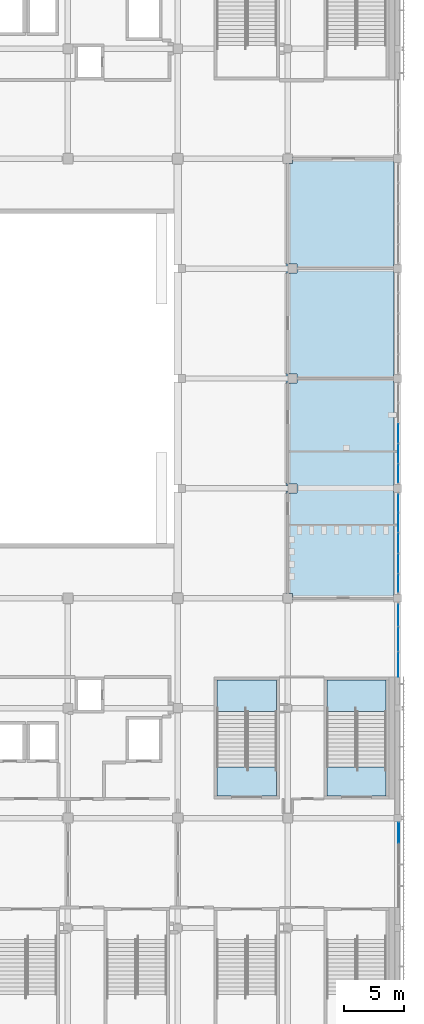
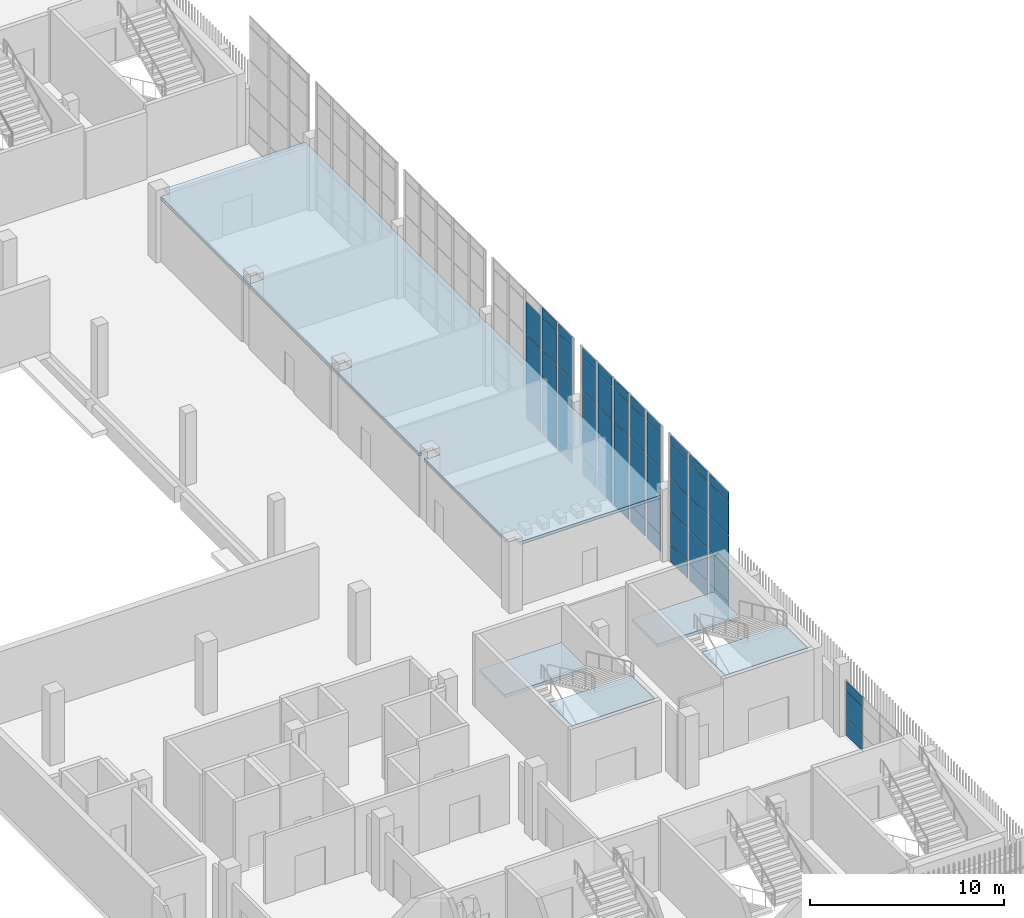
# One storey, part 70 of 126: 57 plates, 5 slabs, 6 elements without a shape of their own.
"""IFC4 building model written with IfcOpenShell, lengths in metres."""

from ifc_helpers import new_model, si_unit, direction, frame, origin, origin_2d, place, context, subcontext, project, spatial, polyline, rectangle, outline, extrude, material, layer, layer_set, type_object, element, aggregate, save


model = new_model("IFC4")

# Units and contexts
model_context = context("Model", 3, precision=1e-05, world=origin(), true_north=direction((0.0, 1.0)))
body_context = subcontext(model_context, "Body", "Model", "MODEL_VIEW")
ifc_project = project(units=[si_unit("LENGTHUNIT", "METRE"), si_unit("AREAUNIT", "SQUARE_METRE"), si_unit("VOLUMEUNIT", "CUBIC_METRE"), si_unit("PLANEANGLEUNIT", "RADIAN"), si_unit("MASSUNIT", "GRAM", prefix="KILO")], contexts=[model_context])

# Site, building, storey
site_placement = place(None, origin())
site = spatial("IfcSite", under=ifc_project, at=site_placement, CompositionType="ELEMENT")
building_placement = place(site_placement, origin())
building = spatial("IfcBuilding", under=site, at=building_placement, Name="Shirokan Park Arena", CompositionType="ELEMENT")
storey_placement = place(building_placement, frame((0.0, 0.0, 6.3701171875)))
storey = spatial("IfcBuildingStorey", under=building, at=storey_placement, Name="L01", CompositionType="ELEMENT", Elevation=6.3701171875)

# Curtain wall, plates
ifc_material_1 = material(Name="Steel and glass curtain wall", Category="steel")
ifc_layer_1 = layer(ifc_material_1, 0.1201171875)
ifc_layer_set_1 = layer_set([ifc_layer_1], Name="Steel and glass curtain wall 120 mm")
curtain_wall_type_1 = type_object("IfcCurtainWallType", Name="Curtain wall corner block side bay 120", PredefinedType="NOTDEFINED", material=ifc_layer_set_1)
curtain_wall_1_placement = place(storey_placement, origin())
curtain_wall_1 = element("IfcCurtainWall", 1, at=curtain_wall_1_placement, inside=storey, type_object=curtain_wall_type_1, Name="Curtain wall east bay 2 L01", PredefinedType="NOTDEFINED")
ifc_material_2 = material(Name="Aluminium sheet", Category="aluminium")
ifc_layer_2 = layer(ifc_material_2, 0.0029296875, Name="Aluminium sheet")
ifc_material_3 = material(Name="Mineral wool insulation")
ifc_layer_3 = layer(ifc_material_3, 0.053955078125, Name="Mineral wool insulation")
ifc_layer_4 = layer(ifc_material_2, 0.0029296875, Name="Aluminium sheet")
ifc_layer_set_2 = layer_set([ifc_layer_2, ifc_layer_3, ifc_layer_4], Name="Aluminium sheet + Mineral wool insulation")
plate_type_1 = type_object("IfcPlateType", Name="Insulated spandrel panel 60", PredefinedType="CURTAIN_PANEL", material=ifc_layer_set_2)
plate_1_placement = place(storey_placement, frame((145.68994140625, 16.97509765625, 2.86962890625), z_axis=(0.0, 0.0, 1.0), x_axis=(0.0, 1.0, 0.0)))
plate_1 = element("IfcPlate", 2, at=plate_1_placement, type_object=plate_type_1, Name="CW3 panel 4.3", PredefinedType="CURTAIN_PANEL", context=body_context, shape_type="SweptSolid", body=[
    extrude(rectangle(XDim=1.64990234375, YDim=0.06005859375, at=origin_2d()), origin(), (0.0, 0.0, 1.0), 0.590087890625),
])
ifc_material_4 = material(Name="Toughened glass", Category="glass")
ifc_layer_5 = layer(ifc_material_4, 0.012939453125, Name="Toughened glass")
ifc_material_5 = material(Name="Interlayer film")
ifc_layer_6 = layer(ifc_material_5, 0.001953125, Name="Interlayer film")
ifc_layer_7 = layer(ifc_material_4, 0.012939453125, Name="Toughened glass")
ifc_layer_set_3 = layer_set([ifc_layer_5, ifc_layer_6, ifc_layer_7], Name="Toughened glass + Interlayer film")
plate_type_2 = type_object("IfcPlateType", Name="Laminated glass panel 28", PredefinedType="CURTAIN_PANEL", material=ifc_layer_set_3)
plate_2_placement = place(storey_placement, frame((145.68994140625, 16.97509765625, 1.119873046875), z_axis=(0.0, 0.0, 1.0), x_axis=(0.0, 1.0, 0.0)))
plate_2 = element("IfcPlate", 3, at=plate_2_placement, type_object=plate_type_2, Name="CW3 panel 4.2", PredefinedType="CURTAIN_PANEL", context=body_context, shape_type="SweptSolid", body=[
    extrude(rectangle(XDim=1.64990234375, YDim=0.028076171875, at=origin_2d()), origin(), (0.0, 0.0, 1.0), 1.7099609375),
])

ifc_layer_8 = layer(ifc_material_1, 0.199951171875)
ifc_layer_set_4 = layer_set([ifc_layer_8], Name="Steel and glass curtain wall 200 mm")
curtain_wall_type_2 = type_object("IfcCurtainWallType", Name="Curtain wall hall bay 200", PredefinedType="NOTDEFINED", material=ifc_layer_set_4)
curtain_wall_2_placement = place(storey_placement, origin())
curtain_wall_2 = element("IfcCurtainWall", 4, at=curtain_wall_2_placement, inside=storey, type_object=curtain_wall_type_2, Name="Curtain wall east bay 4 L01", PredefinedType="NOTDEFINED")
plate_3_placement = place(storey_placement, frame((145.64990234375, 30.879150390625, 1.119873046875), z_axis=(0.0, 0.0, 1.0), x_axis=(0.0, 1.0, 0.0)))
plate_3 = element("IfcPlate", 5, at=plate_3_placement, type_object=plate_type_2, Name="CW5 panel 1.2", PredefinedType="CURTAIN_PANEL", context=body_context, shape_type="SweptSolid", body=[
    extrude(rectangle(XDim=1.958251953125, YDim=0.028076171875, at=origin_2d()), origin(), (0.0, 0.0, 1.0), 2.06005859375),
])
plate_4_placement = place(storey_placement, frame((145.64990234375, 30.879150390625, 3.219970703125), z_axis=(0.0, 0.0, 1.0), x_axis=(0.0, 1.0, 0.0)))
plate_4 = element("IfcPlate", 6, at=plate_4_placement, type_object=plate_type_2, Name="CW5 panel 1.3", PredefinedType="CURTAIN_PANEL", context=body_context, shape_type="SweptSolid", body=[
    extrude(rectangle(XDim=1.958251953125, YDim=0.028076171875, at=origin_2d()), origin(), (0.0, 0.0, 1.0), 2.06005859375),
])
plate_5_placement = place(storey_placement, frame((145.64990234375, 30.879150390625, 5.31982421875), z_axis=(0.0, 0.0, 1.0), x_axis=(0.0, 1.0, 0.0)))
plate_5 = element("IfcPlate", 7, at=plate_5_placement, type_object=plate_type_2, Name="CW5 panel 1.4", PredefinedType="CURTAIN_PANEL", context=body_context, shape_type="SweptSolid", body=[
    extrude(rectangle(XDim=1.958251953125, YDim=0.028076171875, at=origin_2d()), origin(), (0.0, 0.0, 1.0), 2.06005859375),
])
plate_6_placement = place(storey_placement, frame((145.64990234375, 30.879150390625, 7.419921875), z_axis=(0.0, 0.0, 1.0), x_axis=(0.0, 1.0, 0.0)))
plate_6 = element("IfcPlate", 8, at=plate_6_placement, type_object=plate_type_2, Name="CW5 panel 1.5", PredefinedType="CURTAIN_PANEL", context=body_context, shape_type="SweptSolid", body=[
    extrude(rectangle(XDim=1.958251953125, YDim=0.028076171875, at=origin_2d()), origin(), (0.0, 0.0, 1.0), 0.590087890625),
])
plate_7_placement = place(storey_placement, frame((145.64990234375, 32.987548828125, 1.119873046875), z_axis=(0.0, 0.0, 1.0), x_axis=(0.0, 1.0, 0.0)))
plate_7 = element("IfcPlate", 9, at=plate_7_placement, type_object=plate_type_2, Name="CW5 panel 2.2", PredefinedType="CURTAIN_PANEL", context=body_context, shape_type="SweptSolid", body=[
    extrude(rectangle(XDim=1.8583984375, YDim=0.028076171875, at=origin_2d()), origin(), (0.0, 0.0, 1.0), 2.06005859375),
])
plate_8_placement = place(storey_placement, frame((145.64990234375, 32.987548828125, 3.219970703125), z_axis=(0.0, 0.0, 1.0), x_axis=(0.0, 1.0, 0.0)))
plate_8 = element("IfcPlate", 10, at=plate_8_placement, type_object=plate_type_2, Name="CW5 panel 2.3", PredefinedType="CURTAIN_PANEL", context=body_context, shape_type="SweptSolid", body=[
    extrude(rectangle(XDim=1.8583984375, YDim=0.028076171875, at=origin_2d()), origin(), (0.0, 0.0, 1.0), 2.06005859375),
])
plate_9_placement = place(storey_placement, frame((145.64990234375, 32.987548828125, 5.31982421875), z_axis=(0.0, 0.0, 1.0), x_axis=(0.0, 1.0, 0.0)))
plate_9 = element("IfcPlate", 11, at=plate_9_placement, type_object=plate_type_2, Name="CW5 panel 2.4", PredefinedType="CURTAIN_PANEL", context=body_context, shape_type="SweptSolid", body=[
    extrude(rectangle(XDim=1.8583984375, YDim=0.028076171875, at=origin_2d()), origin(), (0.0, 0.0, 1.0), 2.06005859375),
])
plate_10_placement = place(storey_placement, frame((145.64990234375, 32.987548828125, 7.419921875), z_axis=(0.0, 0.0, 1.0), x_axis=(0.0, 1.0, 0.0)))
plate_10 = element("IfcPlate", 12, at=plate_10_placement, type_object=plate_type_2, Name="CW5 panel 2.5", PredefinedType="CURTAIN_PANEL", context=body_context, shape_type="SweptSolid", body=[
    extrude(rectangle(XDim=1.8583984375, YDim=0.028076171875, at=origin_2d()), origin(), (0.0, 0.0, 1.0), 0.590087890625),
])
plate_11_placement = place(storey_placement, frame((145.64990234375, 34.995849609375, 1.119873046875), z_axis=(0.0, 0.0, 1.0), x_axis=(0.0, 1.0, 0.0)))
plate_11 = element("IfcPlate", 13, at=plate_11_placement, type_object=plate_type_2, Name="CW5 panel 3.2", PredefinedType="CURTAIN_PANEL", context=body_context, shape_type="SweptSolid", body=[
    extrude(rectangle(XDim=1.75830078125, YDim=0.028076171875, at=origin_2d()), origin(), (0.0, 0.0, 1.0), 2.06005859375),
])
plate_12_placement = place(storey_placement, frame((145.64990234375, 34.995849609375, 3.219970703125), z_axis=(0.0, 0.0, 1.0), x_axis=(0.0, 1.0, 0.0)))
plate_12 = element("IfcPlate", 14, at=plate_12_placement, type_object=plate_type_2, Name="CW5 panel 3.3", PredefinedType="CURTAIN_PANEL", context=body_context, shape_type="SweptSolid", body=[
    extrude(rectangle(XDim=1.75830078125, YDim=0.028076171875, at=origin_2d()), origin(), (0.0, 0.0, 1.0), 2.06005859375),
])
plate_13_placement = place(storey_placement, frame((145.64990234375, 34.995849609375, 5.31982421875), z_axis=(0.0, 0.0, 1.0), x_axis=(0.0, 1.0, 0.0)))
plate_13 = element("IfcPlate", 15, at=plate_13_placement, type_object=plate_type_2, Name="CW5 panel 3.4", PredefinedType="CURTAIN_PANEL", context=body_context, shape_type="SweptSolid", body=[
    extrude(rectangle(XDim=1.75830078125, YDim=0.028076171875, at=origin_2d()), origin(), (0.0, 0.0, 1.0), 2.06005859375),
])
plate_14_placement = place(storey_placement, frame((145.64990234375, 34.995849609375, 7.419921875), z_axis=(0.0, 0.0, 1.0), x_axis=(0.0, 1.0, 0.0)))
plate_14 = element("IfcPlate", 16, at=plate_14_placement, type_object=plate_type_2, Name="CW5 panel 3.5", PredefinedType="CURTAIN_PANEL", context=body_context, shape_type="SweptSolid", body=[
    extrude(rectangle(XDim=1.75830078125, YDim=0.028076171875, at=origin_2d()), origin(), (0.0, 0.0, 1.0), 0.590087890625),
])

curtain_wall_3_placement = place(storey_placement, origin())
curtain_wall_3 = element("IfcCurtainWall", 17, at=curtain_wall_3_placement, inside=storey, type_object=curtain_wall_type_2, Name="Curtain wall east bay 5 L01", PredefinedType="NOTDEFINED")
plate_15_placement = place(storey_placement, frame((145.64990234375, 37.6201171875, 1.119873046875), z_axis=(0.0, 0.0, 1.0), x_axis=(0.0, 1.0, 0.0)))
plate_15 = element("IfcPlate", 18, at=plate_15_placement, type_object=plate_type_2, Name="CW5 panel 1.2", PredefinedType="CURTAIN_PANEL", context=body_context, shape_type="SweptSolid", body=[
    extrude(rectangle(XDim=1.389892578125, YDim=0.028076171875, at=origin_2d()), origin(), (0.0, 0.0, 1.0), 2.06005859375),
])
plate_16_placement = place(storey_placement, frame((145.64990234375, 37.6201171875, 3.219970703125), z_axis=(0.0, 0.0, 1.0), x_axis=(0.0, 1.0, 0.0)))
plate_16 = element("IfcPlate", 19, at=plate_16_placement, type_object=plate_type_2, Name="CW5 panel 1.3", PredefinedType="CURTAIN_PANEL", context=body_context, shape_type="SweptSolid", body=[
    extrude(rectangle(XDim=1.389892578125, YDim=0.028076171875, at=origin_2d()), origin(), (0.0, 0.0, 1.0), 2.06005859375),
])
plate_17_placement = place(storey_placement, frame((145.64990234375, 37.6201171875, 5.31982421875), z_axis=(0.0, 0.0, 1.0), x_axis=(0.0, 1.0, 0.0)))
plate_17 = element("IfcPlate", 20, at=plate_17_placement, type_object=plate_type_2, Name="CW5 panel 1.4", PredefinedType="CURTAIN_PANEL", context=body_context, shape_type="SweptSolid", body=[
    extrude(rectangle(XDim=1.389892578125, YDim=0.028076171875, at=origin_2d()), origin(), (0.0, 0.0, 1.0), 2.06005859375),
])
plate_18_placement = place(storey_placement, frame((145.64990234375, 37.6201171875, 7.419921875), z_axis=(0.0, 0.0, 1.0), x_axis=(0.0, 1.0, 0.0)))
plate_18 = element("IfcPlate", 21, at=plate_18_placement, type_object=plate_type_2, Name="CW5 panel 1.5", PredefinedType="CURTAIN_PANEL", context=body_context, shape_type="SweptSolid", body=[
    extrude(rectangle(XDim=1.389892578125, YDim=0.028076171875, at=origin_2d()), origin(), (0.0, 0.0, 1.0), 0.590087890625),
])
plate_19_placement = place(storey_placement, frame((145.64990234375, 39.260009765625, 1.119873046875), z_axis=(0.0, 0.0, 1.0), x_axis=(0.0, 1.0, 0.0)))
plate_19 = element("IfcPlate", 22, at=plate_19_placement, type_object=plate_type_2, Name="CW5 panel 2.2", PredefinedType="CURTAIN_PANEL", context=body_context, shape_type="SweptSolid", body=[
    extrude(rectangle(XDim=1.489990234375, YDim=0.028076171875, at=origin_2d()), origin(), (0.0, 0.0, 1.0), 2.06005859375),
])
plate_20_placement = place(storey_placement, frame((145.64990234375, 39.260009765625, 3.219970703125), z_axis=(0.0, 0.0, 1.0), x_axis=(0.0, 1.0, 0.0)))
plate_20 = element("IfcPlate", 23, at=plate_20_placement, type_object=plate_type_2, Name="CW5 panel 2.3", PredefinedType="CURTAIN_PANEL", context=body_context, shape_type="SweptSolid", body=[
    extrude(rectangle(XDim=1.489990234375, YDim=0.028076171875, at=origin_2d()), origin(), (0.0, 0.0, 1.0), 2.06005859375),
])
plate_21_placement = place(storey_placement, frame((145.64990234375, 39.260009765625, 5.31982421875), z_axis=(0.0, 0.0, 1.0), x_axis=(0.0, 1.0, 0.0)))
plate_21 = element("IfcPlate", 24, at=plate_21_placement, type_object=plate_type_2, Name="CW5 panel 2.4", PredefinedType="CURTAIN_PANEL", context=body_context, shape_type="SweptSolid", body=[
    extrude(rectangle(XDim=1.489990234375, YDim=0.028076171875, at=origin_2d()), origin(), (0.0, 0.0, 1.0), 2.06005859375),
])
plate_22_placement = place(storey_placement, frame((145.64990234375, 39.260009765625, 7.419921875), z_axis=(0.0, 0.0, 1.0), x_axis=(0.0, 1.0, 0.0)))
plate_22 = element("IfcPlate", 25, at=plate_22_placement, type_object=plate_type_2, Name="CW5 panel 2.5", PredefinedType="CURTAIN_PANEL", context=body_context, shape_type="SweptSolid", body=[
    extrude(rectangle(XDim=1.489990234375, YDim=0.028076171875, at=origin_2d()), origin(), (0.0, 0.0, 1.0), 0.590087890625),
])
plate_23_placement = place(storey_placement, frame((145.64990234375, 40.949951171875, 1.119873046875), z_axis=(0.0, 0.0, 1.0), x_axis=(0.0, 1.0, 0.0)))
plate_23 = element("IfcPlate", 26, at=plate_23_placement, type_object=plate_type_2, Name="CW5 panel 3.2", PredefinedType="CURTAIN_PANEL", context=body_context, shape_type="SweptSolid", body=[
    extrude(rectangle(XDim=1.489990234375, YDim=0.028076171875, at=origin_2d()), origin(), (0.0, 0.0, 1.0), 2.06005859375),
])
plate_24_placement = place(storey_placement, frame((145.64990234375, 40.949951171875, 3.219970703125), z_axis=(0.0, 0.0, 1.0), x_axis=(0.0, 1.0, 0.0)))
plate_24 = element("IfcPlate", 27, at=plate_24_placement, type_object=plate_type_2, Name="CW5 panel 3.3", PredefinedType="CURTAIN_PANEL", context=body_context, shape_type="SweptSolid", body=[
    extrude(rectangle(XDim=1.489990234375, YDim=0.028076171875, at=origin_2d()), origin(), (0.0, 0.0, 1.0), 2.06005859375),
])
plate_25_placement = place(storey_placement, frame((145.64990234375, 40.949951171875, 5.31982421875), z_axis=(0.0, 0.0, 1.0), x_axis=(0.0, 1.0, 0.0)))
plate_25 = element("IfcPlate", 28, at=plate_25_placement, type_object=plate_type_2, Name="CW5 panel 3.4", PredefinedType="CURTAIN_PANEL", context=body_context, shape_type="SweptSolid", body=[
    extrude(rectangle(XDim=1.489990234375, YDim=0.028076171875, at=origin_2d()), origin(), (0.0, 0.0, 1.0), 2.06005859375),
])
plate_26_placement = place(storey_placement, frame((145.64990234375, 40.949951171875, 7.419921875), z_axis=(0.0, 0.0, 1.0), x_axis=(0.0, 1.0, 0.0)))
plate_26 = element("IfcPlate", 29, at=plate_26_placement, type_object=plate_type_2, Name="CW5 panel 3.5", PredefinedType="CURTAIN_PANEL", context=body_context, shape_type="SweptSolid", body=[
    extrude(rectangle(XDim=1.489990234375, YDim=0.028076171875, at=origin_2d()), origin(), (0.0, 0.0, 1.0), 0.590087890625),
])
plate_27_placement = place(storey_placement, frame((145.64990234375, 42.639892578125, 1.119873046875), z_axis=(0.0, 0.0, 1.0), x_axis=(0.0, 1.0, 0.0)))
plate_27 = element("IfcPlate", 30, at=plate_27_placement, type_object=plate_type_2, Name="CW5 panel 4.2", PredefinedType="CURTAIN_PANEL", context=body_context, shape_type="SweptSolid", body=[
    extrude(rectangle(XDim=1.489990234375, YDim=0.028076171875, at=origin_2d()), origin(), (0.0, 0.0, 1.0), 2.06005859375),
])
plate_28_placement = place(storey_placement, frame((145.64990234375, 42.639892578125, 3.219970703125), z_axis=(0.0, 0.0, 1.0), x_axis=(0.0, 1.0, 0.0)))
plate_28 = element("IfcPlate", 31, at=plate_28_placement, type_object=plate_type_2, Name="CW5 panel 4.3", PredefinedType="CURTAIN_PANEL", context=body_context, shape_type="SweptSolid", body=[
    extrude(rectangle(XDim=1.489990234375, YDim=0.028076171875, at=origin_2d()), origin(), (0.0, 0.0, 1.0), 2.06005859375),
])
plate_29_placement = place(storey_placement, frame((145.64990234375, 42.639892578125, 5.31982421875), z_axis=(0.0, 0.0, 1.0), x_axis=(0.0, 1.0, 0.0)))
plate_29 = element("IfcPlate", 32, at=plate_29_placement, type_object=plate_type_2, Name="CW5 panel 4.4", PredefinedType="CURTAIN_PANEL", context=body_context, shape_type="SweptSolid", body=[
    extrude(rectangle(XDim=1.489990234375, YDim=0.028076171875, at=origin_2d()), origin(), (0.0, 0.0, 1.0), 2.06005859375),
])
plate_30_placement = place(storey_placement, frame((145.64990234375, 42.639892578125, 7.419921875), z_axis=(0.0, 0.0, 1.0), x_axis=(0.0, 1.0, 0.0)))
plate_30 = element("IfcPlate", 33, at=plate_30_placement, type_object=plate_type_2, Name="CW5 panel 4.5", PredefinedType="CURTAIN_PANEL", context=body_context, shape_type="SweptSolid", body=[
    extrude(rectangle(XDim=1.489990234375, YDim=0.028076171875, at=origin_2d()), origin(), (0.0, 0.0, 1.0), 0.590087890625),
])
plate_31_placement = place(storey_placement, frame((145.64990234375, 44.280029296875, 1.119873046875), z_axis=(0.0, 0.0, 1.0), x_axis=(0.0, 1.0, 0.0)))
plate_31 = element("IfcPlate", 34, at=plate_31_placement, type_object=plate_type_2, Name="CW5 panel 5.2", PredefinedType="CURTAIN_PANEL", context=body_context, shape_type="SweptSolid", body=[
    extrude(rectangle(XDim=1.389892578125, YDim=0.028076171875, at=origin_2d()), origin(), (0.0, 0.0, 1.0), 2.06005859375),
])
plate_32_placement = place(storey_placement, frame((145.64990234375, 44.280029296875, 3.219970703125), z_axis=(0.0, 0.0, 1.0), x_axis=(0.0, 1.0, 0.0)))
plate_32 = element("IfcPlate", 35, at=plate_32_placement, type_object=plate_type_2, Name="CW5 panel 5.3", PredefinedType="CURTAIN_PANEL", context=body_context, shape_type="SweptSolid", body=[
    extrude(rectangle(XDim=1.389892578125, YDim=0.028076171875, at=origin_2d()), origin(), (0.0, 0.0, 1.0), 2.06005859375),
])
plate_33_placement = place(storey_placement, frame((145.64990234375, 44.280029296875, 5.31982421875), z_axis=(0.0, 0.0, 1.0), x_axis=(0.0, 1.0, 0.0)))
plate_33 = element("IfcPlate", 36, at=plate_33_placement, type_object=plate_type_2, Name="CW5 panel 5.4", PredefinedType="CURTAIN_PANEL", context=body_context, shape_type="SweptSolid", body=[
    extrude(rectangle(XDim=1.389892578125, YDim=0.028076171875, at=origin_2d()), origin(), (0.0, 0.0, 1.0), 2.06005859375),
])
plate_34_placement = place(storey_placement, frame((145.64990234375, 44.280029296875, 7.419921875), z_axis=(0.0, 0.0, 1.0), x_axis=(0.0, 1.0, 0.0)))
plate_34 = element("IfcPlate", 37, at=plate_34_placement, type_object=plate_type_2, Name="CW5 panel 5.5", PredefinedType="CURTAIN_PANEL", context=body_context, shape_type="SweptSolid", body=[
    extrude(rectangle(XDim=1.389892578125, YDim=0.028076171875, at=origin_2d()), origin(), (0.0, 0.0, 1.0), 0.590087890625),
])

curtain_wall_4_placement = place(storey_placement, origin())
curtain_wall_4 = element("IfcCurtainWall", 38, at=curtain_wall_4_placement, inside=storey, type_object=curtain_wall_type_2, Name="Curtain wall east bay 6 L01", PredefinedType="NOTDEFINED")
plate_35_placement = place(storey_placement, frame((145.64990234375, 46.719970703125, 1.119873046875), z_axis=(0.0, 0.0, 1.0), x_axis=(0.0, 1.0, 0.0)))
plate_35 = element("IfcPlate", 39, at=plate_35_placement, type_object=plate_type_2, Name="CW5 panel 1.2", PredefinedType="CURTAIN_PANEL", context=body_context, shape_type="SweptSolid", body=[
    extrude(rectangle(XDim=1.389892578125, YDim=0.028076171875, at=origin_2d()), origin(), (0.0, 0.0, 1.0), 2.06005859375),
])
plate_36_placement = place(storey_placement, frame((145.64990234375, 46.719970703125, 3.219970703125), z_axis=(0.0, 0.0, 1.0), x_axis=(0.0, 1.0, 0.0)))
plate_36 = element("IfcPlate", 40, at=plate_36_placement, type_object=plate_type_2, Name="CW5 panel 1.3", PredefinedType="CURTAIN_PANEL", context=body_context, shape_type="SweptSolid", body=[
    extrude(rectangle(XDim=1.389892578125, YDim=0.028076171875, at=origin_2d()), origin(), (0.0, 0.0, 1.0), 2.06005859375),
])
plate_37_placement = place(storey_placement, frame((145.64990234375, 46.719970703125, 5.31982421875), z_axis=(0.0, 0.0, 1.0), x_axis=(0.0, 1.0, 0.0)))
plate_37 = element("IfcPlate", 41, at=plate_37_placement, type_object=plate_type_2, Name="CW5 panel 1.4", PredefinedType="CURTAIN_PANEL", context=body_context, shape_type="SweptSolid", body=[
    extrude(rectangle(XDim=1.389892578125, YDim=0.028076171875, at=origin_2d()), origin(), (0.0, 0.0, 1.0), 2.06005859375),
])
plate_38_placement = place(storey_placement, frame((145.64990234375, 46.719970703125, 7.419921875), z_axis=(0.0, 0.0, 1.0), x_axis=(0.0, 1.0, 0.0)))
plate_38 = element("IfcPlate", 42, at=plate_38_placement, type_object=plate_type_2, Name="CW5 panel 1.5", PredefinedType="CURTAIN_PANEL", context=body_context, shape_type="SweptSolid", body=[
    extrude(rectangle(XDim=1.389892578125, YDim=0.028076171875, at=origin_2d()), origin(), (0.0, 0.0, 1.0), 0.590087890625),
])
plate_39_placement = place(storey_placement, frame((145.64990234375, 48.360107421875, 1.119873046875), z_axis=(0.0, 0.0, 1.0), x_axis=(0.0, 1.0, 0.0)))
plate_39 = element("IfcPlate", 43, at=plate_39_placement, type_object=plate_type_2, Name="CW5 panel 2.2", PredefinedType="CURTAIN_PANEL", context=body_context, shape_type="SweptSolid", body=[
    extrude(rectangle(XDim=1.489990234375, YDim=0.028076171875, at=origin_2d()), origin(), (0.0, 0.0, 1.0), 2.06005859375),
])
plate_40_placement = place(storey_placement, frame((145.64990234375, 48.360107421875, 3.219970703125), z_axis=(0.0, 0.0, 1.0), x_axis=(0.0, 1.0, 0.0)))
plate_40 = element("IfcPlate", 44, at=plate_40_placement, type_object=plate_type_2, Name="CW5 panel 2.3", PredefinedType="CURTAIN_PANEL", context=body_context, shape_type="SweptSolid", body=[
    extrude(rectangle(XDim=1.489990234375, YDim=0.028076171875, at=origin_2d()), origin(), (0.0, 0.0, 1.0), 2.06005859375),
])
plate_41_placement = place(storey_placement, frame((145.64990234375, 48.360107421875, 5.31982421875), z_axis=(0.0, 0.0, 1.0), x_axis=(0.0, 1.0, 0.0)))
plate_41 = element("IfcPlate", 45, at=plate_41_placement, type_object=plate_type_2, Name="CW5 panel 2.4", PredefinedType="CURTAIN_PANEL", context=body_context, shape_type="SweptSolid", body=[
    extrude(rectangle(XDim=1.489990234375, YDim=0.028076171875, at=origin_2d()), origin(), (0.0, 0.0, 1.0), 2.06005859375),
])
plate_42_placement = place(storey_placement, frame((145.64990234375, 48.360107421875, 7.419921875), z_axis=(0.0, 0.0, 1.0), x_axis=(0.0, 1.0, 0.0)))
plate_42 = element("IfcPlate", 46, at=plate_42_placement, type_object=plate_type_2, Name="CW5 panel 2.5", PredefinedType="CURTAIN_PANEL", context=body_context, shape_type="SweptSolid", body=[
    extrude(rectangle(XDim=1.489990234375, YDim=0.028076171875, at=origin_2d()), origin(), (0.0, 0.0, 1.0), 0.590087890625),
])
plate_43_placement = place(storey_placement, frame((145.64990234375, 50.050048828125, 1.119873046875), z_axis=(0.0, 0.0, 1.0), x_axis=(0.0, 1.0, 0.0)))
plate_43 = element("IfcPlate", 47, at=plate_43_placement, type_object=plate_type_2, Name="CW5 panel 3.2", PredefinedType="CURTAIN_PANEL", context=body_context, shape_type="SweptSolid", body=[
    extrude(rectangle(XDim=1.489990234375, YDim=0.028076171875, at=origin_2d()), origin(), (0.0, 0.0, 1.0), 2.06005859375),
])
plate_44_placement = place(storey_placement, frame((145.64990234375, 50.050048828125, 3.219970703125), z_axis=(0.0, 0.0, 1.0), x_axis=(0.0, 1.0, 0.0)))
plate_44 = element("IfcPlate", 48, at=plate_44_placement, type_object=plate_type_2, Name="CW5 panel 3.3", PredefinedType="CURTAIN_PANEL", context=body_context, shape_type="SweptSolid", body=[
    extrude(rectangle(XDim=1.489990234375, YDim=0.028076171875, at=origin_2d()), origin(), (0.0, 0.0, 1.0), 2.06005859375),
])
plate_45_placement = place(storey_placement, frame((145.64990234375, 50.050048828125, 5.31982421875), z_axis=(0.0, 0.0, 1.0), x_axis=(0.0, 1.0, 0.0)))
plate_45 = element("IfcPlate", 49, at=plate_45_placement, type_object=plate_type_2, Name="CW5 panel 3.4", PredefinedType="CURTAIN_PANEL", context=body_context, shape_type="SweptSolid", body=[
    extrude(rectangle(XDim=1.489990234375, YDim=0.028076171875, at=origin_2d()), origin(), (0.0, 0.0, 1.0), 2.06005859375),
])

# Plate
ifc_layer_9 = layer(ifc_material_4, 0.01708984375, Name="Toughened glass")
ifc_layer_10 = layer(ifc_material_5, 0.001953125, Name="Interlayer film")
ifc_layer_11 = layer(ifc_material_4, 0.01708984375, Name="Toughened glass")
ifc_layer_set_5 = layer_set([ifc_layer_9, ifc_layer_10, ifc_layer_11], Name="Toughened glass + Interlayer film")
plate_type_3 = type_object("IfcPlateType", Name="Laminated safety glass panel 36", PredefinedType="CURTAIN_PANEL", material=ifc_layer_set_5)
plate_46_placement = place(storey_placement, frame((145.68994140625, 16.97509765625, 0.039794921875), z_axis=(0.0, 0.0, 1.0), x_axis=(0.0, 1.0, 0.0)))
plate_46 = element("IfcPlate", 50, at=plate_46_placement, type_object=plate_type_3, Name="CW3 panel 4.1", PredefinedType="CURTAIN_PANEL", context=body_context, shape_type="SweptSolid", body=[
    extrude(rectangle(XDim=1.64990234375, YDim=0.035888671875, at=origin_2d()), origin(), (0.0, 0.0, 1.0), 1.0400390625),
])

aggregate(curtain_wall_1, [plate_46, plate_2, plate_1])

plate_47_placement = place(storey_placement, frame((145.64990234375, 30.879150390625, 0.039794921875), z_axis=(0.0, 0.0, 1.0), x_axis=(0.0, 1.0, 0.0)))
plate_47 = element("IfcPlate", 51, at=plate_47_placement, type_object=plate_type_3, Name="CW5 panel 1.1", PredefinedType="CURTAIN_PANEL", context=body_context, shape_type="SweptSolid", body=[
    extrude(rectangle(XDim=1.958251953125, YDim=0.035888671875, at=origin_2d()), origin(), (0.0, 0.0, 1.0), 1.0400390625),
])

plate_48_placement = place(storey_placement, frame((145.64990234375, 32.987548828125, 0.039794921875), z_axis=(0.0, 0.0, 1.0), x_axis=(0.0, 1.0, 0.0)))
plate_48 = element("IfcPlate", 52, at=plate_48_placement, type_object=plate_type_3, Name="CW5 panel 2.1", PredefinedType="CURTAIN_PANEL", context=body_context, shape_type="SweptSolid", body=[
    extrude(rectangle(XDim=1.8583984375, YDim=0.035888671875, at=origin_2d()), origin(), (0.0, 0.0, 1.0), 1.0400390625),
])

plate_49_placement = place(storey_placement, frame((145.64990234375, 34.995849609375, 0.039794921875), z_axis=(0.0, 0.0, 1.0), x_axis=(0.0, 1.0, 0.0)))
plate_49 = element("IfcPlate", 53, at=plate_49_placement, type_object=plate_type_3, Name="CW5 panel 3.1", PredefinedType="CURTAIN_PANEL", context=body_context, shape_type="SweptSolid", body=[
    extrude(rectangle(XDim=1.75830078125, YDim=0.035888671875, at=origin_2d()), origin(), (0.0, 0.0, 1.0), 1.0400390625),
])

aggregate(curtain_wall_2, [plate_47, plate_3, plate_4, plate_5, plate_6, plate_48, plate_7, plate_8, plate_9, plate_10, plate_49, plate_11, plate_12, plate_13, plate_14])

plate_50_placement = place(storey_placement, frame((145.64990234375, 37.6201171875, 0.039794921875), z_axis=(0.0, 0.0, 1.0), x_axis=(0.0, 1.0, 0.0)))
plate_50 = element("IfcPlate", 54, at=plate_50_placement, type_object=plate_type_3, Name="CW5 panel 1.1", PredefinedType="CURTAIN_PANEL", context=body_context, shape_type="SweptSolid", body=[
    extrude(rectangle(XDim=1.389892578125, YDim=0.035888671875, at=origin_2d()), origin(), (0.0, 0.0, 1.0), 1.0400390625),
])

plate_51_placement = place(storey_placement, frame((145.64990234375, 39.260009765625, 0.039794921875), z_axis=(0.0, 0.0, 1.0), x_axis=(0.0, 1.0, 0.0)))
plate_51 = element("IfcPlate", 55, at=plate_51_placement, type_object=plate_type_3, Name="CW5 panel 2.1", PredefinedType="CURTAIN_PANEL", context=body_context, shape_type="SweptSolid", body=[
    extrude(rectangle(XDim=1.489990234375, YDim=0.035888671875, at=origin_2d()), origin(), (0.0, 0.0, 1.0), 1.0400390625),
])

plate_52_placement = place(storey_placement, frame((145.64990234375, 40.949951171875, 0.039794921875), z_axis=(0.0, 0.0, 1.0), x_axis=(0.0, 1.0, 0.0)))
plate_52 = element("IfcPlate", 56, at=plate_52_placement, type_object=plate_type_3, Name="CW5 panel 3.1", PredefinedType="CURTAIN_PANEL", context=body_context, shape_type="SweptSolid", body=[
    extrude(rectangle(XDim=1.489990234375, YDim=0.035888671875, at=origin_2d()), origin(), (0.0, 0.0, 1.0), 1.0400390625),
])

plate_53_placement = place(storey_placement, frame((145.64990234375, 42.639892578125, 0.039794921875), z_axis=(0.0, 0.0, 1.0), x_axis=(0.0, 1.0, 0.0)))
plate_53 = element("IfcPlate", 57, at=plate_53_placement, type_object=plate_type_3, Name="CW5 panel 4.1", PredefinedType="CURTAIN_PANEL", context=body_context, shape_type="SweptSolid", body=[
    extrude(rectangle(XDim=1.489990234375, YDim=0.035888671875, at=origin_2d()), origin(), (0.0, 0.0, 1.0), 1.0400390625),
])

plate_54_placement = place(storey_placement, frame((145.64990234375, 44.280029296875, 0.039794921875), z_axis=(0.0, 0.0, 1.0), x_axis=(0.0, 1.0, 0.0)))
plate_54 = element("IfcPlate", 58, at=plate_54_placement, type_object=plate_type_3, Name="CW5 panel 5.1", PredefinedType="CURTAIN_PANEL", context=body_context, shape_type="SweptSolid", body=[
    extrude(rectangle(XDim=1.389892578125, YDim=0.035888671875, at=origin_2d()), origin(), (0.0, 0.0, 1.0), 1.0400390625),
])

aggregate(curtain_wall_3, [plate_50, plate_15, plate_16, plate_17, plate_18, plate_51, plate_19, plate_20, plate_21, plate_22, plate_52, plate_23, plate_24, plate_25, plate_26, plate_53, plate_27, plate_28, plate_29, plate_30, plate_54, plate_31, plate_32, plate_33, plate_34])

plate_55_placement = place(storey_placement, frame((145.64990234375, 46.719970703125, 0.039794921875), z_axis=(0.0, 0.0, 1.0), x_axis=(0.0, 1.0, 0.0)))
plate_55 = element("IfcPlate", 59, at=plate_55_placement, type_object=plate_type_3, Name="CW5 panel 1.1", PredefinedType="CURTAIN_PANEL", context=body_context, shape_type="SweptSolid", body=[
    extrude(rectangle(XDim=1.389892578125, YDim=0.035888671875, at=origin_2d()), origin(), (0.0, 0.0, 1.0), 1.0400390625),
])

plate_56_placement = place(storey_placement, frame((145.64990234375, 48.360107421875, 0.039794921875), z_axis=(0.0, 0.0, 1.0), x_axis=(0.0, 1.0, 0.0)))
plate_56 = element("IfcPlate", 60, at=plate_56_placement, type_object=plate_type_3, Name="CW5 panel 2.1", PredefinedType="CURTAIN_PANEL", context=body_context, shape_type="SweptSolid", body=[
    extrude(rectangle(XDim=1.489990234375, YDim=0.035888671875, at=origin_2d()), origin(), (0.0, 0.0, 1.0), 1.0400390625),
])

plate_57_placement = place(storey_placement, frame((145.64990234375, 50.050048828125, 0.039794921875), z_axis=(0.0, 0.0, 1.0), x_axis=(0.0, 1.0, 0.0)))
plate_57 = element("IfcPlate", 61, at=plate_57_placement, type_object=plate_type_3, Name="CW5 panel 3.1", PredefinedType="CURTAIN_PANEL", context=body_context, shape_type="SweptSolid", body=[
    extrude(rectangle(XDim=1.489990234375, YDim=0.035888671875, at=origin_2d()), origin(), (0.0, 0.0, 1.0), 1.0400390625),
])

aggregate(curtain_wall_4, [plate_55, plate_35, plate_36, plate_37, plate_38, plate_56, plate_39, plate_40, plate_41, plate_42, plate_57, plate_43, plate_44, plate_45])

# Slab
ifc_material_6 = material(Name="Concrete C35", Category="concrete")
ifc_layer_12 = layer(ifc_material_6, 0.199951171875)
ifc_layer_set_6 = layer_set([ifc_layer_12], Name="Concrete C35 200 mm")
slab_type_1 = type_object("IfcSlabType", Name="Pavilion roof slab 200", PredefinedType="ROOF", material=ifc_layer_set_6)
slab_1_placement = place(storey_placement, frame((0.0, 0.0, 3.89990234375)))
element("IfcSlab", 62, at=slab_1_placement, inside=storey, type_object=slab_type_1, Name="Pavilion roof L01", PredefinedType="ROOF", context=body_context, shape_type="SweptSolid", body=[
    extrude(outline(polyline([(136.5, 45.25), (136.5, 45.125), (137.25, 45.125), (137.25, 45.875), (136.5, 45.875), (136.5, 45.75), (136.375, 45.75), (136.375, 72.39990234375), (136.89990234375, 72.39990234375), (136.89990234375, 72.925048828125), (145.27490234375, 72.925048828125), (145.27490234375, 72.47509765625), (145.300048828125, 72.47509765625), (145.300048828125, 64.02490234375), (145.25, 64.02490234375), (145.25, 63.375), (145.300048828125, 63.375), (145.300048828125, 54.925048828125), (145.25, 54.925048828125), (145.25, 54.27490234375), (145.300048828125, 54.27490234375), (145.300048828125, 45.824951171875), (145.25, 45.824951171875), (145.25, 45.175048828125), (145.300048828125, 45.175048828125), (145.300048828125, 36.72509765625), (145.27490234375, 36.72509765625), (145.27490234375, 36.27490234375), (136.89990234375, 36.27490234375), (136.89990234375, 36.800048828125), (136.375, 36.800048828125), (136.375, 45.25), (136.5, 45.25)]), holes=[polyline([(137.25, 54.22509765625), (137.25, 54.97509765625), (136.5, 54.97509765625), (136.5, 54.22509765625), (137.25, 54.22509765625)]), polyline([(137.25, 63.324951171875), (137.25, 64.074951171875), (136.5, 64.074951171875), (136.5, 63.324951171875), (137.25, 63.324951171875)])]), origin(), (0.0, 0.0, 1.0), 0.199951171875),
])

# Stair, slabs
ifc_material_7 = material(Name="Concrete C30 precast", Category="concrete")
stair_type = type_object("IfcStairType", Name="Stair 30 risers 152 x 327 2400 wide", PredefinedType="TWO_STRAIGHT_RUN_STAIR", material=ifc_material_7)
stair_1_placement = place(storey_placement, origin())
stair_1 = element("IfcStair", 63, at=stair_1_placement, inside=storey, type_object=stair_type, Name="Exit Stair 2.E L01 to L02", PredefinedType="TWO_STRAIGHT_RUN_STAIR")
ifc_layer_13 = layer(ifc_material_7, 0.199951171875)
ifc_layer_set_7 = layer_set([ifc_layer_13], Name="Concrete C30 precast 200 mm")
slab_type_2 = type_object("IfcSlabType", Name="Stair landing 200", PredefinedType="LANDING", material=ifc_layer_set_7)
slab_2_placement = place(storey_placement, frame((0.0, 0.0, 2.074951171875)))
slab_2 = element("IfcSlab", 64, at=slab_2_placement, type_object=slab_type_2, Name="ST08.2 landing 1", PredefinedType="LANDING", context=body_context, shape_type="SweptSolid", body=[
    extrude(outline(polyline([(139.75, 27.023681640625), (144.64990234375, 27.023681640625), (144.64990234375, 29.64990234375), (139.75, 29.64990234375), (139.75, 27.023681640625)])), origin(), (0.0, 0.0, 1.0), 0.199951171875),
])
slab_3_placement = place(storey_placement, frame((0.0, 0.0, 4.349853515625)))
slab_3 = element("IfcSlab", 65, at=slab_3_placement, type_object=slab_type_2, Name="ST08.2 landing 2", PredefinedType="LANDING", context=body_context, shape_type="SweptSolid", body=[
    extrude(outline(polyline([(139.75, 20.050048828125), (144.64990234375, 20.050048828125), (144.64990234375, 22.449951171875), (139.75, 22.449951171875), (139.75, 20.050048828125)])), origin(), (0.0, 0.0, 1.0), 0.199951171875),
])
aggregate(stair_1, [slab_2, slab_3])

stair_2_placement = place(storey_placement, origin())
stair_2 = element("IfcStair", 66, at=stair_2_placement, inside=storey, type_object=stair_type, Name="Exit Stair 2.F L01 to L02", PredefinedType="TWO_STRAIGHT_RUN_STAIR")
slab_4_placement = place(storey_placement, frame((0.0, 0.0, 2.074951171875)))
slab_4 = element("IfcSlab", 67, at=slab_4_placement, type_object=slab_type_2, Name="ST09.2 landing 1", PredefinedType="LANDING", context=body_context, shape_type="SweptSolid", body=[
    extrude(outline(polyline([(130.64990234375, 27.023681640625), (135.550048828125, 27.023681640625), (135.550048828125, 29.64990234375), (130.64990234375, 29.64990234375), (130.64990234375, 27.023681640625)])), origin(), (0.0, 0.0, 1.0), 0.199951171875),
])
slab_5_placement = place(storey_placement, frame((0.0, 0.0, 4.349853515625)))
slab_5 = element("IfcSlab", 68, at=slab_5_placement, type_object=slab_type_2, Name="ST09.2 landing 2", PredefinedType="LANDING", context=body_context, shape_type="SweptSolid", body=[
    extrude(outline(polyline([(130.64990234375, 20.050048828125), (135.550048828125, 20.050048828125), (135.550048828125, 22.449951171875), (130.64990234375, 22.449951171875), (130.64990234375, 20.050048828125)])), origin(), (0.0, 0.0, 1.0), 0.199951171875),
])
aggregate(stair_2, [slab_4, slab_5])

save(model, "model.ifc")
